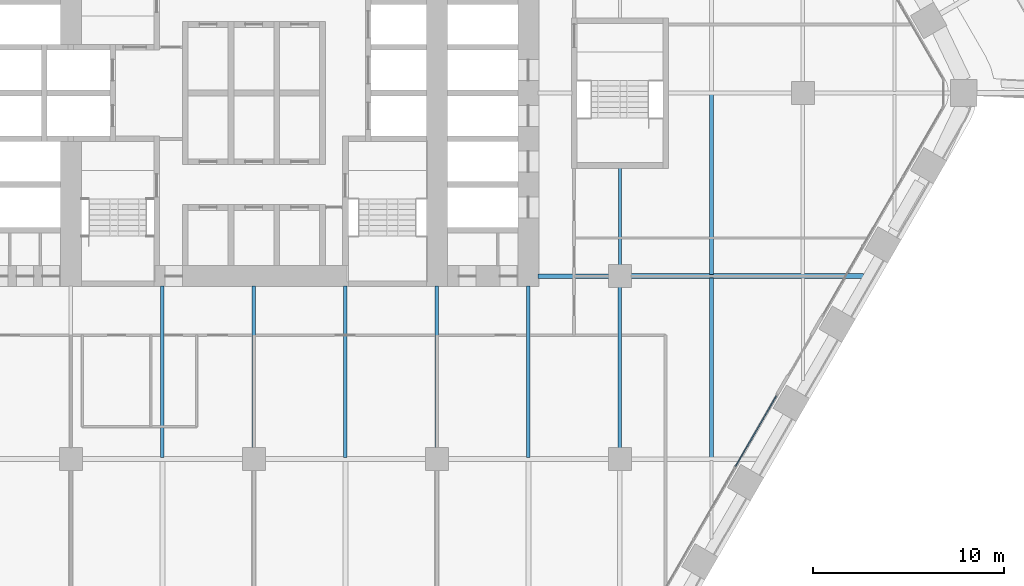
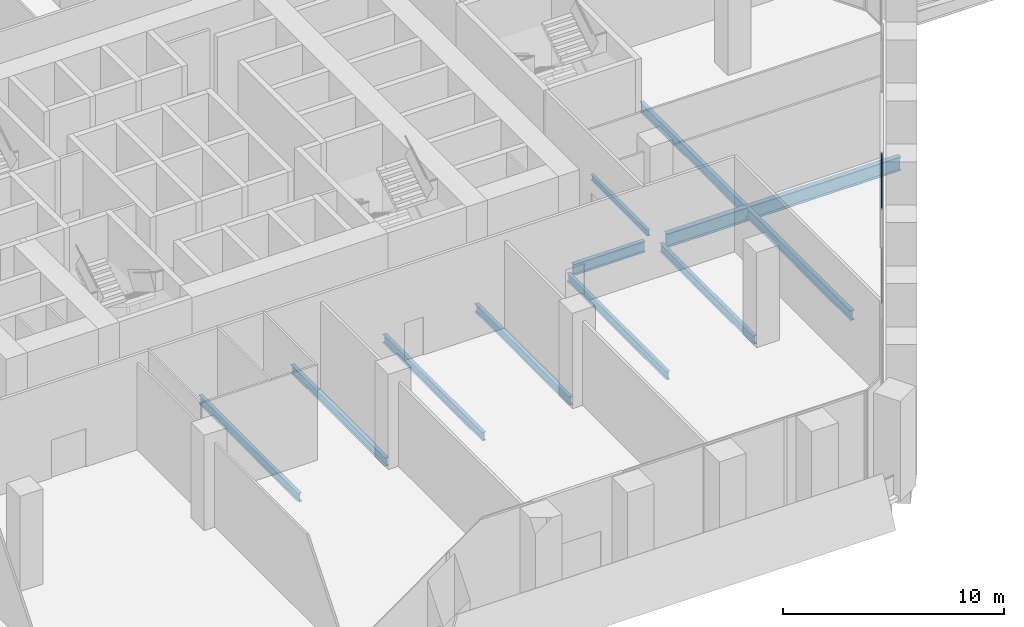
# One storey, part 6 of 30: 11 beams, 2 members, 1 element without a shape of its own.
"""IFC4 building model written with IfcOpenShell, lengths in metres."""

from ifc_helpers import new_model, si_unit, direction, frame, origin, origin_2d, place, context, subcontext, project, spatial, rectangle, i_section, extrude, material, material_profile, profile_set, type_object, element, aggregate, save


model = new_model("IFC4")

# Units and contexts
model_context = context("Model", 3, precision=1e-05, world=origin(), true_north=direction((0.0, 1.0)))
body_context = subcontext(model_context, "Body", "Model", "MODEL_VIEW")
ifc_project = project(units=[si_unit("LENGTHUNIT", "METRE"), si_unit("AREAUNIT", "SQUARE_METRE"), si_unit("VOLUMEUNIT", "CUBIC_METRE"), si_unit("PLANEANGLEUNIT", "RADIAN"), si_unit("MASSUNIT", "GRAM", prefix="KILO")], contexts=[model_context])

# Site, building, storey
site_placement = place(None, origin())
site = spatial("IfcSite", under=ifc_project, at=site_placement, CompositionType="ELEMENT")
building_placement = place(site_placement, origin())
building = spatial("IfcBuilding", under=site, at=building_placement, Name="Kolab Exchange Tower", CompositionType="ELEMENT")
storey_placement = place(building_placement, frame((0.0, 0.0, 38.89990234375)))
storey = spatial("IfcBuildingStorey", under=building, at=storey_placement, Name="L07", CompositionType="ELEMENT", Elevation=38.89990234375)

# Beams
ifc_material_1 = material(Name="Steel S355", Category="steel")
ifc_material_profile_1 = material_profile(ifc_material_1, i_section(OverallWidth=0.1650390625, OverallDepth=0.31005859375, WebThickness=0.005859375, FlangeThickness=0.009765625, at=origin_2d()), Name="W310X39")
ifc_profile_set_1 = profile_set([ifc_material_profile_1], Name="Steel S355")
beam_type_1 = type_object("IfcBeamType", Name="FLOOR BEAM W310X39", PredefinedType="BEAM", material=ifc_profile_set_1)
beam_1_placement = place(storey_placement, frame((19.199951171875, -9.0400390625, -0.40478515625), z_axis=(0.0, 1.0, 0.0), x_axis=(-1.0, 0.0, 0.0)))
element("IfcBeam", 1, at=beam_1_placement, inside=storey, type_object=beam_type_1, Name="beam/L07/fr/048", PredefinedType="BEAM", context=body_context, shape_type="SweptSolid", body=[
    extrude(i_section(OverallWidth=0.1650390625, OverallDepth=0.31005859375, WebThickness=0.005859375, FlangeThickness=0.009765625, at=origin_2d()), origin(), (0.0, 0.0, 1.0), 5.130126953125),
])
ifc_material_profile_2 = material_profile(ifc_material_1, i_section(OverallWidth=0.18994140625, OverallDepth=0.45703125, WebThickness=0.009033203125, FlangeThickness=0.014404296875, at=origin_2d()), Name="W460X74")
ifc_profile_set_2 = profile_set([ifc_material_profile_2], Name="Steel S355")
beam_type_2 = type_object("IfcBeamType", Name="FLOOR BEAM W460X74", PredefinedType="BEAM", material=ifc_profile_set_2)
beam_2_placement = place(storey_placement, frame((-4.800048828125, -19.113037109375, -0.478515625), z_axis=(0.0, 1.0, 0.0), x_axis=(-1.0, 0.0, 0.0)))
element("IfcBeam", 2, at=beam_2_placement, inside=storey, type_object=beam_type_2, Name="beam/L07/fr/027", PredefinedType="BEAM", context=body_context, shape_type="SweptSolid", body=[
    extrude(i_section(OverallWidth=0.18994140625, OverallDepth=0.45703125, WebThickness=0.009033203125, FlangeThickness=0.014404296875, at=origin_2d()), origin(), (0.0, 0.0, 1.0), 9.0029296875),
])
beam_3_placement = place(storey_placement, frame((0.0, -18.639892578125, -0.478515625), z_axis=(0.0, 1.0, 0.0), x_axis=(-1.0, 0.0, 0.0)))
element("IfcBeam", 3, at=beam_3_placement, inside=storey, type_object=beam_type_2, Name="beam/L07/fr/031", PredefinedType="BEAM", context=body_context, shape_type="SweptSolid", body=[
    extrude(i_section(OverallWidth=0.18994140625, OverallDepth=0.45703125, WebThickness=0.009033203125, FlangeThickness=0.014404296875, at=origin_2d()), origin(), (0.0, 0.0, 1.0), 8.52978515625),
])
beam_4_placement = place(storey_placement, frame((4.800048828125, -19.113037109375, -0.478515625), z_axis=(0.0, 1.0, 0.0), x_axis=(-1.0, 0.0, 0.0)))
element("IfcBeam", 4, at=beam_4_placement, inside=storey, type_object=beam_type_2, Name="beam/L07/fr/035", PredefinedType="BEAM", context=body_context, shape_type="SweptSolid", body=[
    extrude(i_section(OverallWidth=0.18994140625, OverallDepth=0.45703125, WebThickness=0.009033203125, FlangeThickness=0.014404296875, at=origin_2d()), origin(), (0.0, 0.0, 1.0), 9.0029296875),
])
beam_5_placement = place(storey_placement, frame((9.60009765625, -18.639892578125, -0.478515625), z_axis=(0.0, 1.0, 0.0), x_axis=(-1.0, 0.0, 0.0)))
element("IfcBeam", 5, at=beam_5_placement, inside=storey, type_object=beam_type_2, Name="beam/L07/fr/039", PredefinedType="BEAM", context=body_context, shape_type="SweptSolid", body=[
    extrude(i_section(OverallWidth=0.18994140625, OverallDepth=0.45703125, WebThickness=0.009033203125, FlangeThickness=0.014404296875, at=origin_2d()), origin(), (0.0, 0.0, 1.0), 8.52978515625),
])
beam_6_placement = place(storey_placement, frame((14.39990234375, -19.113037109375, -0.478515625), z_axis=(0.0, 1.0, 0.0), x_axis=(-1.0, 0.0, 0.0)))
element("IfcBeam", 6, at=beam_6_placement, inside=storey, type_object=beam_type_2, Name="beam/L07/fr/043", PredefinedType="BEAM", context=body_context, shape_type="SweptSolid", body=[
    extrude(i_section(OverallWidth=0.18994140625, OverallDepth=0.45703125, WebThickness=0.009033203125, FlangeThickness=0.014404296875, at=origin_2d()), origin(), (0.0, 0.0, 1.0), 9.0029296875),
])
beam_7_placement = place(storey_placement, frame((19.199951171875, -18.639892578125, -0.478515625), z_axis=(0.0, 1.0, 0.0), x_axis=(-1.0, 0.0, 0.0)))
element("IfcBeam", 7, at=beam_7_placement, inside=storey, type_object=beam_type_2, Name="beam/L07/fr/047", PredefinedType="BEAM", context=body_context, shape_type="SweptSolid", body=[
    extrude(i_section(OverallWidth=0.18994140625, OverallDepth=0.45703125, WebThickness=0.009033203125, FlangeThickness=0.014404296875, at=origin_2d()), origin(), (0.0, 0.0, 1.0), 8.47998046875),
])
ifc_material_profile_3 = material_profile(ifc_material_1, i_section(OverallWidth=0.208984375, OverallDepth=0.532958984375, WebThickness=0.01025390625, FlangeThickness=0.015625, at=origin_2d()), Name="W530X92")
ifc_profile_set_3 = profile_set([ifc_material_profile_3], Name="Steel S355")
beam_type_3 = type_object("IfcBeamType", Name="FLOOR BEAM W530X92", PredefinedType="BEAM", material=ifc_profile_set_3)
beam_8_placement = place(storey_placement, frame((24.0, -19.1259765625, -0.516357421875), z_axis=(0.0, 1.0, 0.0), x_axis=(-1.0, 0.0, 0.0)))
element("IfcBeam", 8, at=beam_8_placement, inside=storey, type_object=beam_type_3, Name="beam/L07/fr/053", PredefinedType="BEAM", context=body_context, shape_type="SweptSolid", body=[
    extrude(i_section(OverallWidth=0.208984375, OverallDepth=0.532958984375, WebThickness=0.01025390625, FlangeThickness=0.015625, at=origin_2d()), origin(), (0.0, 0.0, 1.0), 9.432373046875),
])
beam_9_placement = place(storey_placement, frame((24.0, -9.506591796875, -0.516357421875), z_axis=(0.0, 1.0, 0.0), x_axis=(-1.0, 0.0, 0.0)))
element("IfcBeam", 9, at=beam_9_placement, inside=storey, type_object=beam_type_3, Name="beam/L07/fr/054", PredefinedType="BEAM", context=body_context, shape_type="SweptSolid", body=[
    extrude(i_section(OverallWidth=0.208984375, OverallDepth=0.532958984375, WebThickness=0.01025390625, FlangeThickness=0.015625, at=origin_2d()), origin(), (0.0, 0.0, 1.0), 9.4326171875),
])
ifc_material_profile_4 = material_profile(ifc_material_1, i_section(OverallWidth=0.22802734375, OverallDepth=0.60791015625, WebThickness=0.01123046875, FlangeThickness=0.017333984375, at=origin_2d()), Name="W610X113")
ifc_profile_set_4 = profile_set([ifc_material_profile_4], Name="Steel S355")
beam_type_4 = type_object("IfcBeamType", Name="FLOOR GIRDER W610X113", PredefinedType="BEAM", material=ifc_profile_set_4)
beam_10_placement = place(storey_placement, frame((14.909912109375, -9.60009765625, -0.553955078125), z_axis=(1.0, 0.0, 0.0), x_axis=(0.0, 1.0, 0.0)))
element("IfcBeam", 10, at=beam_10_placement, inside=storey, type_object=beam_type_4, Name="beam/L07/gd/017", PredefinedType="BEAM", context=body_context, shape_type="SweptSolid", body=[
    extrude(i_section(OverallWidth=0.22802734375, OverallDepth=0.60791015625, WebThickness=0.01123046875, FlangeThickness=0.017333984375, at=origin_2d()), origin(), (0.0, 0.0, 1.0), 3.72998046875),
])
ifc_material_profile_5 = material_profile(ifc_material_1, i_section(OverallWidth=0.26708984375, OverallDepth=0.761962890625, WebThickness=0.014404296875, FlangeThickness=0.021484375, at=origin_2d()), Name="W760X173")
ifc_profile_set_5 = profile_set([ifc_material_profile_5], Name="Steel S355")
beam_type_5 = type_object("IfcBeamType", Name="FLOOR GIRDER W760X173", PredefinedType="BEAM", material=ifc_profile_set_5)
beam_11_placement = place(storey_placement, frame((19.760009765625, -9.60009765625, -0.630859375), z_axis=(1.0, 0.0, 0.0), x_axis=(0.0, 1.0, 0.0)))
element("IfcBeam", 11, at=beam_11_placement, inside=storey, type_object=beam_type_5, Name="beam/L07/gd/021", PredefinedType="BEAM", context=body_context, shape_type="SweptSolid", body=[
    extrude(i_section(OverallWidth=0.26708984375, OverallDepth=0.761962890625, WebThickness=0.014404296875, FlangeThickness=0.021484375, at=origin_2d()), origin(), (0.0, 0.0, 1.0), 12.213623046875),
])

# Curtain wall, members
ifc_material_2 = material(Name="Aluminium EN AW-6063 T6", Category="aluminium")
curtain_wall_type = type_object("IfcCurtainWallType", Name="UNITISED LOW ZONE CURTAIN WALL", PredefinedType="NOTDEFINED", material=ifc_material_2)
curtain_wall_placement = place(storey_placement, origin())
curtain_wall = element("IfcCurtainWall", 12, at=curtain_wall_placement, inside=storey, type_object=curtain_wall_type, Name="cw/L07/F3-2", PredefinedType="NOTDEFINED")
ifc_material_profile_6 = material_profile(ifc_material_2, rectangle(XDim=0.06005859375, YDim=0.10009765625, at=origin_2d()), Name="RECT 60X100")
ifc_profile_set_6 = profile_set([ifc_material_profile_6], Name="Aluminium EN AW-6063 T6")
member_type = type_object("IfcMemberType", Name="UNITISED LOW ZONE TRANSOM 60 X 100", PredefinedType="USERDEFINED", material=ifc_profile_set_6)
member_1_placement = place(storey_placement, frame((27.401611328125, -15.8896484375, 0.030029296875), z_axis=(-0.499976099074, -0.866039202551, 0.0), x_axis=(0.866039202551, -0.499976099074, 0.0)))
member_1 = element("IfcMember", 13, at=member_1_placement, type_object=member_type, Name="CW1 transom 1.1", ObjectType="TRANSOM", PredefinedType="USERDEFINED", context=body_context, shape_type="SweptSolid", body=[
    extrude(rectangle(XDim=0.06005859375, YDim=0.10009765625, at=origin_2d()), origin(), (0.0, 0.0, 1.0), 4.277099609375),
])
member_2_placement = place(storey_placement, frame((27.401611328125, -15.8896484375, 5.22021484375), z_axis=(-0.499976099074, -0.866039202551, 0.0), x_axis=(0.866039202551, -0.499976099074, 0.0)))
member_2 = element("IfcMember", 14, at=member_2_placement, type_object=member_type, Name="CW1 transom 1.2", ObjectType="TRANSOM", PredefinedType="USERDEFINED", context=body_context, shape_type="SweptSolid", body=[
    extrude(rectangle(XDim=0.06005859375, YDim=0.10009765625, at=origin_2d()), origin(), (0.0, 0.0, 1.0), 4.277099609375),
])
aggregate(curtain_wall, [member_1, member_2])

save(model, "model.ifc")
